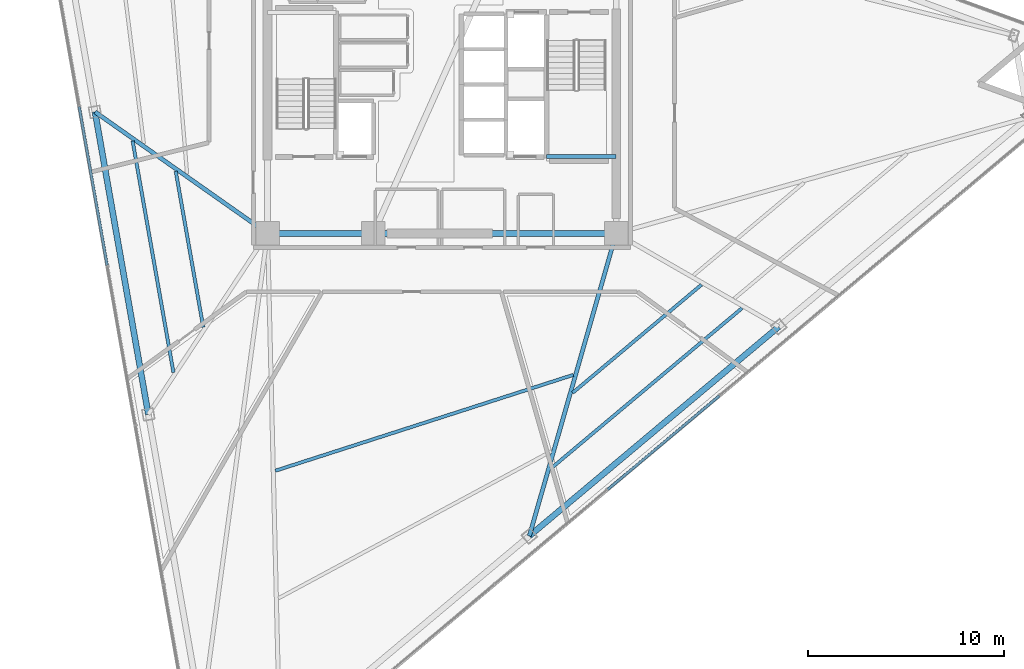
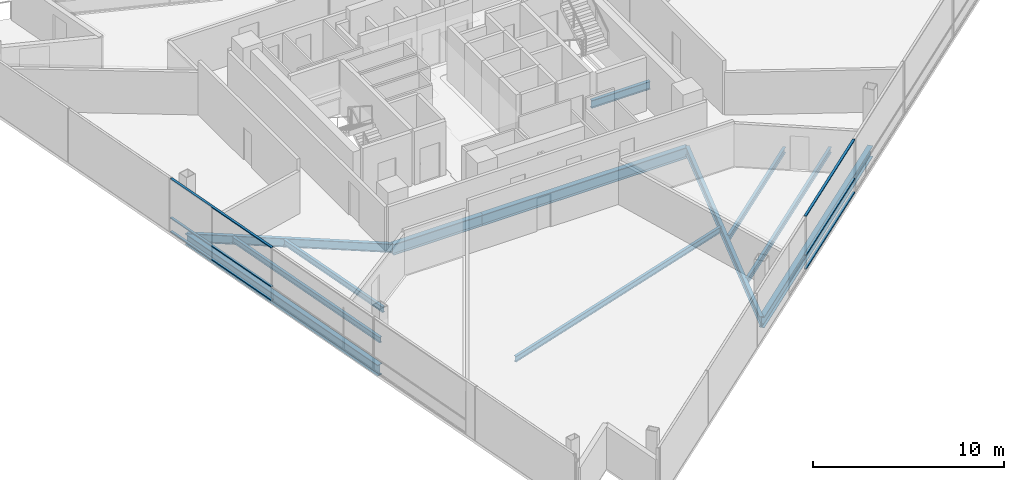
# One storey, part 3 of 15: 12 beams, 6 members, 2 elements without a shape of their own.
"""IFC4 building model written with IfcOpenShell, lengths in metres."""

from ifc_helpers import new_model, si_unit, direction, frame, origin, origin_2d, place, context, subcontext, project, spatial, rectangle, i_section, extrude, material, layer, layer_set, material_profile, profile_set, type_object, element, aggregate, save


model = new_model("IFC4")

# Units and contexts
model_context = context("Model", 3, precision=1e-05, world=origin(), true_north=direction((0.0, 1.0)))
body_context = subcontext(model_context, "Body", "Model", "MODEL_VIEW")
ifc_project = project(units=[si_unit("LENGTHUNIT", "METRE"), si_unit("AREAUNIT", "SQUARE_METRE"), si_unit("VOLUMEUNIT", "CUBIC_METRE"), si_unit("PLANEANGLEUNIT", "RADIAN"), si_unit("MASSUNIT", "GRAM", prefix="KILO")], contexts=[model_context])

# Site, building, storey
site_placement = place(None, origin())
site = spatial("IfcSite", under=ifc_project, at=site_placement, CompositionType="ELEMENT")
building_placement = place(site_placement, origin())
building = spatial("IfcBuilding", under=site, at=building_placement, Name="Tharavind Bronze Gate", CompositionType="ELEMENT")
storey_placement = place(building_placement, frame((0.0, 0.0, 174.10009765625)))
storey = spatial("IfcBuildingStorey", under=building, at=storey_placement, Name="L44", CompositionType="ELEMENT", Elevation=174.10009765625)

# Curtain wall, members
ifc_material_1 = material(Name="Anodised Bronze Aluminium", Category="aluminium")
ifc_layer = layer(ifc_material_1, 0.219970703125)
ifc_layer_set = layer_set([ifc_layer], Name="Anodised Bronze Aluminium")
curtain_wall_type = type_object("IfcCurtainWallType", Name="UNITISED CURTAIN WALL MID OFFICE", PredefinedType="USERDEFINED", material=ifc_layer_set)
curtain_wall_1_placement = place(storey_placement, origin())
curtain_wall_1 = element("IfcCurtainWall", 1, at=curtain_wall_1_placement, inside=storey, type_object=curtain_wall_type, Name="L44 unitised curtain wall mid office CW-L44-S1", ObjectType="UNITISED CURTAIN WALL", PredefinedType="USERDEFINED")
member_type = type_object("IfcMemberType", Name="CURTAIN WALL BRONZE TRANSOM 65X140", PredefinedType="USERDEFINED", material=ifc_material_1)
member_1_placement = place(storey_placement, frame((-17.80517578125, -5.177001953125, 0.0), z_axis=(0.0, 0.0, 1.0), x_axis=(0.173648177667, -0.984807753012, 0.0)))
member_1 = element("IfcMember", 2, at=member_1_placement, type_object=member_type, Name="CW-L44-S1 transom TB3", ObjectType="TRANSOM", PredefinedType="USERDEFINED", context=body_context, shape_type="SweptSolid", body=[
    extrude(rectangle(XDim=8.220458984375, YDim=0.139892578125, at=origin_2d()), origin(), (0.0, 0.0, 1.0), 0.06494140625),
])
member_2_placement = place(storey_placement, frame((-17.80517578125, -5.177001953125, 0.867431640625), z_axis=(0.0, 0.0, 1.0), x_axis=(0.173648177667, -0.984807753012, 0.0)))
member_2 = element("IfcMember", 3, at=member_2_placement, type_object=member_type, Name="CW-L44-S1 transom TS3", ObjectType="TRANSOM", PredefinedType="USERDEFINED", context=body_context, shape_type="SweptSolid", body=[
    extrude(rectangle(XDim=8.220458984375, YDim=0.139892578125, at=origin_2d()), origin(), (0.0, 0.0, 1.0), 0.06494140625),
])
member_3_placement = place(storey_placement, frame((-17.80517578125, -5.177001953125, 3.35498046875), z_axis=(0.0, 0.0, 1.0), x_axis=(0.173648177667, -0.984807753012, 0.0)))
member_3 = element("IfcMember", 4, at=member_3_placement, type_object=member_type, Name="CW-L44-S1 transom TT3", ObjectType="TRANSOM", PredefinedType="USERDEFINED", context=body_context, shape_type="SweptSolid", body=[
    extrude(rectangle(XDim=8.220458984375, YDim=0.139892578125, at=origin_2d()), origin(), (0.0, 0.0, 1.0), 0.06494140625),
])
aggregate(curtain_wall_1, [member_1, member_2, member_3])

curtain_wall_2_placement = place(storey_placement, origin())
curtain_wall_2 = element("IfcCurtainWall", 5, at=curtain_wall_2_placement, inside=storey, type_object=curtain_wall_type, Name="L44 unitised curtain wall mid office CW-L44-S2", ObjectType="UNITISED CURTAIN WALL", PredefinedType="USERDEFINED")
member_4_placement = place(storey_placement, frame((11.31298828125, -18.282470703125, 0.0), z_axis=(0.0, 0.0, 1.0), x_axis=(0.766043321242, 0.642788946685, 0.0)))
member_4 = element("IfcMember", 6, at=member_4_placement, type_object=member_type, Name="CW-L44-S2 transom TB4", ObjectType="TRANSOM", PredefinedType="USERDEFINED", context=body_context, shape_type="SweptSolid", body=[
    extrude(rectangle(XDim=7.443115234375, YDim=0.139892578125, at=origin_2d()), origin(), (0.0, 0.0, 1.0), 0.06494140625),
])
member_5_placement = place(storey_placement, frame((11.31298828125, -18.282470703125, 0.867431640625), z_axis=(0.0, 0.0, 1.0), x_axis=(0.766043321242, 0.642788946685, 0.0)))
member_5 = element("IfcMember", 7, at=member_5_placement, type_object=member_type, Name="CW-L44-S2 transom TS4", ObjectType="TRANSOM", PredefinedType="USERDEFINED", context=body_context, shape_type="SweptSolid", body=[
    extrude(rectangle(XDim=7.443115234375, YDim=0.139892578125, at=origin_2d()), origin(), (0.0, 0.0, 1.0), 0.06494140625),
])
member_6_placement = place(storey_placement, frame((11.31298828125, -18.282470703125, 3.35498046875), z_axis=(0.0, 0.0, 1.0), x_axis=(0.766043321242, 0.642788946685, 0.0)))
member_6 = element("IfcMember", 8, at=member_6_placement, type_object=member_type, Name="CW-L44-S2 transom TT4", ObjectType="TRANSOM", PredefinedType="USERDEFINED", context=body_context, shape_type="SweptSolid", body=[
    extrude(rectangle(XDim=7.443115234375, YDim=0.139892578125, at=origin_2d()), origin(), (0.0, 0.0, 1.0), 0.06494140625),
])
aggregate(curtain_wall_2, [member_4, member_5, member_6])

# Beams
ifc_material_2 = material(Name="Steel S355", Category="steel")
ifc_material_profile_1 = material_profile(ifc_material_2, i_section(OverallWidth=0.199951171875, OverallDepth=0.5, WebThickness=0.01025390625, FlangeThickness=0.01611328125, at=origin_2d()), Name="IPE500")
ifc_profile_set_1 = profile_set([ifc_material_profile_1], Name="Steel S355")
beam_type_1 = type_object("IfcBeamType", Name="PRIMARY GIRDER IPE500", PredefinedType="USERDEFINED", material=ifc_profile_set_1)
beam_1_placement = place(storey_placement, frame((5.35009765625, -3.679931640625, 1.349853515625), z_axis=(1.0, 0.0, 0.0), x_axis=(0.0, 1.0, 0.0)))
element("IfcBeam", 9, at=beam_1_placement, inside=storey, type_object=beam_type_1, Name="L44 primary girder ipe500 BM-LD-ST2-L44-1", ObjectType="GIRDER", PredefinedType="USERDEFINED", context=body_context, shape_type="SweptSolid", body=[
    extrude(i_section(OverallWidth=0.199951171875, OverallDepth=0.5, WebThickness=0.01025390625, FlangeThickness=0.01611328125, at=origin_2d()), origin(), (0.0, 0.0, 1.0), 3.5498046875),
])
ifc_material_profile_2 = material_profile(ifc_material_2, i_section(OverallWidth=0.2099609375, OverallDepth=0.550048828125, WebThickness=0.010986328125, FlangeThickness=0.01708984375, at=origin_2d()), Name="IPE550")
ifc_profile_set_2 = profile_set([ifc_material_profile_2], Name="Steel S355")
beam_type_2 = type_object("IfcBeamType", Name="PRIMARY GIRDER IPE550", PredefinedType="USERDEFINED", material=ifc_profile_set_2)
beam_2_placement = place(storey_placement, frame((-17.709716796875, -1.3994140625, -0.455078125), z_axis=(0.817754667857, -0.575566940675, 0.0), x_axis=(0.575566940675, 0.817754667857, 0.0)))
element("IfcBeam", 10, at=beam_2_placement, inside=storey, type_object=beam_type_2, Name="L44 primary girder ipe550 BM-L44-RAD02", ObjectType="GIRDER", PredefinedType="USERDEFINED", context=body_context, shape_type="SweptSolid", body=[
    extrude(i_section(OverallWidth=0.2099609375, OverallDepth=0.550048828125, WebThickness=0.010986328125, FlangeThickness=0.01708984375, at=origin_2d()), origin(), (0.0, 0.0, 1.0), 10.773193359375),
])
beam_3_placement = place(storey_placement, frame((4.46337890625, -23.05078125, -0.455078125), z_axis=(0.275988621834, 0.961160902564, 0.0), x_axis=(-0.961160902564, 0.275988621834, 0.0)))
element("IfcBeam", 11, at=beam_3_placement, inside=storey, type_object=beam_type_2, Name="L44 primary girder ipe550 BM-L44-RAD06", ObjectType="GIRDER", PredefinedType="USERDEFINED", context=body_context, shape_type="SweptSolid", body=[
    extrude(i_section(OverallWidth=0.2099609375, OverallDepth=0.550048828125, WebThickness=0.010986328125, FlangeThickness=0.01708984375, at=origin_2d()), origin(), (0.0, 0.0, 1.0), 16.074951171875),
])
ifc_material_profile_3 = material_profile(ifc_material_2, i_section(OverallWidth=0.300048828125, OverallDepth=0.699951171875, WebThickness=0.01708984375, FlangeThickness=0.031982421875, at=origin_2d()), Name="HE700B")
ifc_profile_set_3 = profile_set([ifc_material_profile_3], Name="Steel S355")
beam_type_3 = type_object("IfcBeamType", Name="RING GIRDER HE700B", PredefinedType="USERDEFINED", material=ifc_profile_set_3)
beam_4_placement = place(storey_placement, frame((-8.89990234375, -7.60009765625, -0.530029296875), z_axis=(1.0, 0.0, 0.0), x_axis=(0.0, 1.0, 0.0)))
element("IfcBeam", 12, at=beam_4_placement, inside=storey, type_object=beam_type_3, Name="L44 ring girder he700b BM-L44-CR1", ObjectType="GIRDER", PredefinedType="USERDEFINED", context=body_context, shape_type="SweptSolid", body=[
    extrude(i_section(OverallWidth=0.300048828125, OverallDepth=0.699951171875, WebThickness=0.01708984375, FlangeThickness=0.031982421875, at=origin_2d()), origin(), (0.0, 0.0, 1.0), 5.39990234375),
])
beam_5_placement = place(storey_placement, frame((-3.5, -7.60009765625, -0.530029296875), z_axis=(1.0, 0.0, 0.0), x_axis=(0.0, 1.0, 0.0)))
element("IfcBeam", 13, at=beam_5_placement, inside=storey, type_object=beam_type_3, Name="L44 ring girder he700b BM-L44-CR2", ObjectType="GIRDER", PredefinedType="USERDEFINED", context=body_context, shape_type="SweptSolid", body=[
    extrude(i_section(OverallWidth=0.300048828125, OverallDepth=0.699951171875, WebThickness=0.01708984375, FlangeThickness=0.031982421875, at=origin_2d()), origin(), (0.0, 0.0, 1.0), 12.39990234375),
])
beam_6_placement = place(storey_placement, frame((-17.709716796875, -1.3994140625, -0.530029296875), z_axis=(0.173647661488, -0.984807844028, 0.0), x_axis=(0.984807844028, 0.173647661488, 0.0)))
element("IfcBeam", 14, at=beam_6_placement, inside=storey, type_object=beam_type_3, Name="L44 ring girder he700b BM-L44-PRG02", ObjectType="GIRDER", PredefinedType="USERDEFINED", context=body_context, shape_type="SweptSolid", body=[
    extrude(i_section(OverallWidth=0.300048828125, OverallDepth=0.699951171875, WebThickness=0.01708984375, FlangeThickness=0.031982421875, at=origin_2d()), origin(), (0.0, 0.0, 1.0), 15.6806640625),
])
beam_7_placement = place(storey_placement, frame((4.46337890625, -23.05078125, -0.530029296875), z_axis=(0.766044110924, 0.642788005581, 0.0), x_axis=(-0.642788005581, 0.766044110924, 0.0)))
element("IfcBeam", 15, at=beam_7_placement, inside=storey, type_object=beam_type_3, Name="L44 ring girder he700b BM-L44-PRG06", ObjectType="GIRDER", PredefinedType="USERDEFINED", context=body_context, shape_type="SweptSolid", body=[
    extrude(i_section(OverallWidth=0.300048828125, OverallDepth=0.699951171875, WebThickness=0.01708984375, FlangeThickness=0.031982421875, at=origin_2d()), origin(), (0.0, 0.0, 1.0), 16.62451171875),
])
ifc_material_profile_4 = material_profile(ifc_material_2, i_section(OverallWidth=0.169921875, OverallDepth=0.360107421875, WebThickness=0.008056640625, FlangeThickness=0.0126953125, at=origin_2d()), Name="IPE360")
ifc_profile_set_4 = profile_set([ifc_material_profile_4], Name="Steel S355")
beam_type_4 = type_object("IfcBeamType", Name="SECONDARY FLOOR JOIST IPE360", PredefinedType="JOIST", material=ifc_profile_set_4)
beam_8_placement = place(storey_placement, frame((-13.586669921875, -4.43310546875, -0.360107421875), z_axis=(0.173657771601, -0.984806061295, 0.0), x_axis=(0.984806061295, 0.173657771601, 0.0)))
element("IfcBeam", 16, at=beam_8_placement, inside=storey, type_object=beam_type_4, Name="L44 secondary floor joist ipe360 BM-L44-JSTA02", PredefinedType="JOIST", context=body_context, shape_type="SweptSolid", body=[
    extrude(i_section(OverallWidth=0.169921875, OverallDepth=0.360107421875, WebThickness=0.008056640625, FlangeThickness=0.0126953125, at=origin_2d()), origin(), (0.0, 0.0, 1.0), 8.07958984375),
])
beam_9_placement = place(storey_placement, frame((-15.7890625, -2.883056640625, -0.360107421875), z_axis=(0.173653015137, -0.984806900023, 0.0), x_axis=(0.984806900023, 0.173653015137, 0.0)))
element("IfcBeam", 17, at=beam_9_placement, inside=storey, type_object=beam_type_4, Name="L44 secondary floor joist ipe360 BM-L44-JSTB02", PredefinedType="JOIST", context=body_context, shape_type="SweptSolid", body=[
    extrude(i_section(OverallWidth=0.169921875, OverallDepth=0.360107421875, WebThickness=0.008056640625, FlangeThickness=0.0126953125, at=origin_2d()), origin(), (0.0, 0.0, 1.0), 11.99951171875),
])
beam_10_placement = place(storey_placement, frame((-8.5, -19.718994140625, -0.360107421875), z_axis=(0.951947780182, 0.306260385629, 0.0), x_axis=(-0.306260385629, 0.951947780182, 0.0)))
element("IfcBeam", 18, at=beam_10_placement, inside=storey, type_object=beam_type_4, Name="L44 secondary floor joist ipe360 BM-L44-JSTA05", PredefinedType="JOIST", context=body_context, shape_type="SweptSolid", body=[
    extrude(i_section(OverallWidth=0.169921875, OverallDepth=0.360107421875, WebThickness=0.008056640625, FlangeThickness=0.0126953125, at=origin_2d()), origin(), (0.0, 0.0, 1.0), 15.980712890625),
])
beam_11_placement = place(storey_placement, frame((6.67333984375, -15.742919921875, -0.360107421875), z_axis=(0.766044754816, 0.64278723822, 0.0), x_axis=(-0.64278723822, 0.766044754816, 0.0)))
element("IfcBeam", 19, at=beam_11_placement, inside=storey, type_object=beam_type_4, Name="L44 secondary floor joist ipe360 BM-L44-JSTA06", PredefinedType="JOIST", context=body_context, shape_type="SweptSolid", body=[
    extrude(i_section(OverallWidth=0.169921875, OverallDepth=0.360107421875, WebThickness=0.008056640625, FlangeThickness=0.0126953125, at=origin_2d()), origin(), (0.0, 0.0, 1.0), 8.58642578125),
])
beam_12_placement = place(storey_placement, frame((5.564208984375, -19.605712890625, -0.360107421875), z_axis=(0.766041806797, 0.64279075152, 0.0), x_axis=(-0.64279075152, 0.766041806797, 0.0)))
element("IfcBeam", 20, at=beam_12_placement, inside=storey, type_object=beam_type_4, Name="L44 secondary floor joist ipe360 BM-L44-JSTB06", PredefinedType="JOIST", context=body_context, shape_type="SweptSolid", body=[
    extrude(i_section(OverallWidth=0.169921875, OverallDepth=0.360107421875, WebThickness=0.008056640625, FlangeThickness=0.0126953125, at=origin_2d()), origin(), (0.0, 0.0, 1.0), 12.74267578125),
])

save(model, "model.ifc")
